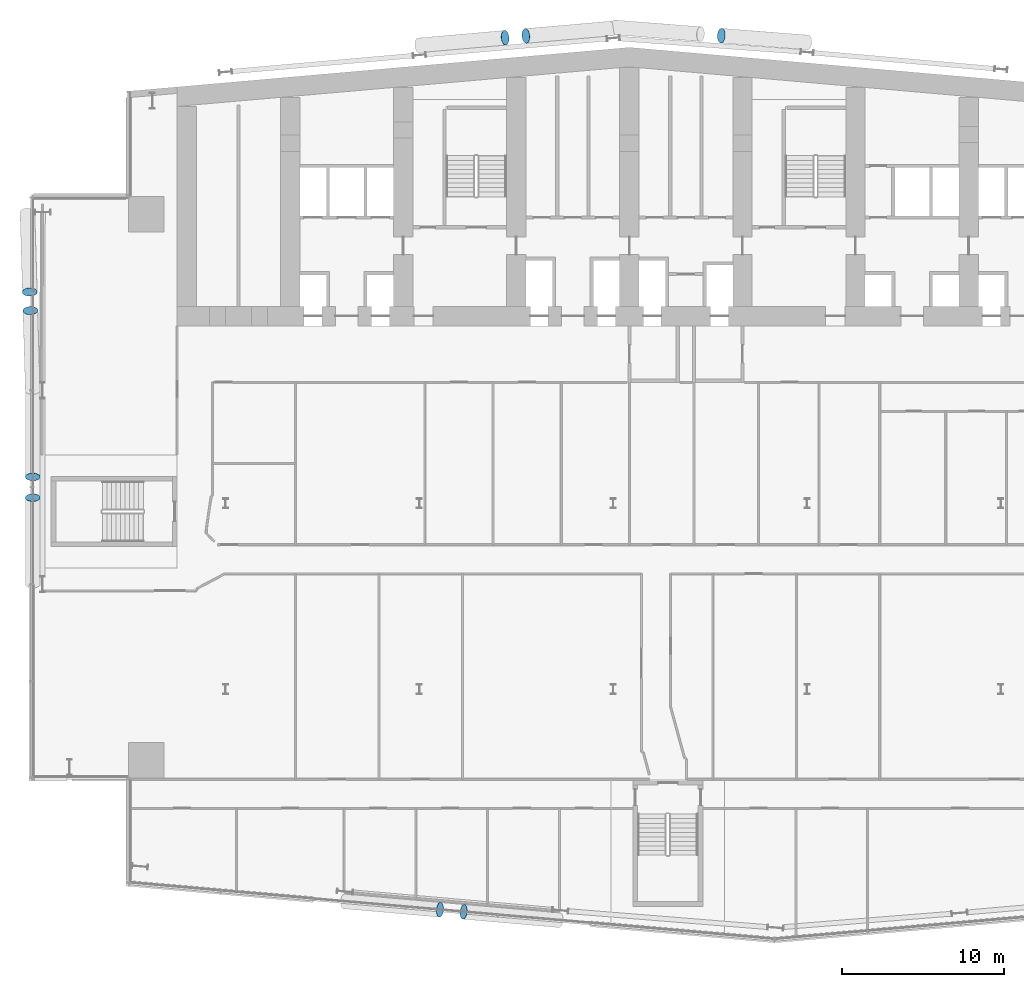
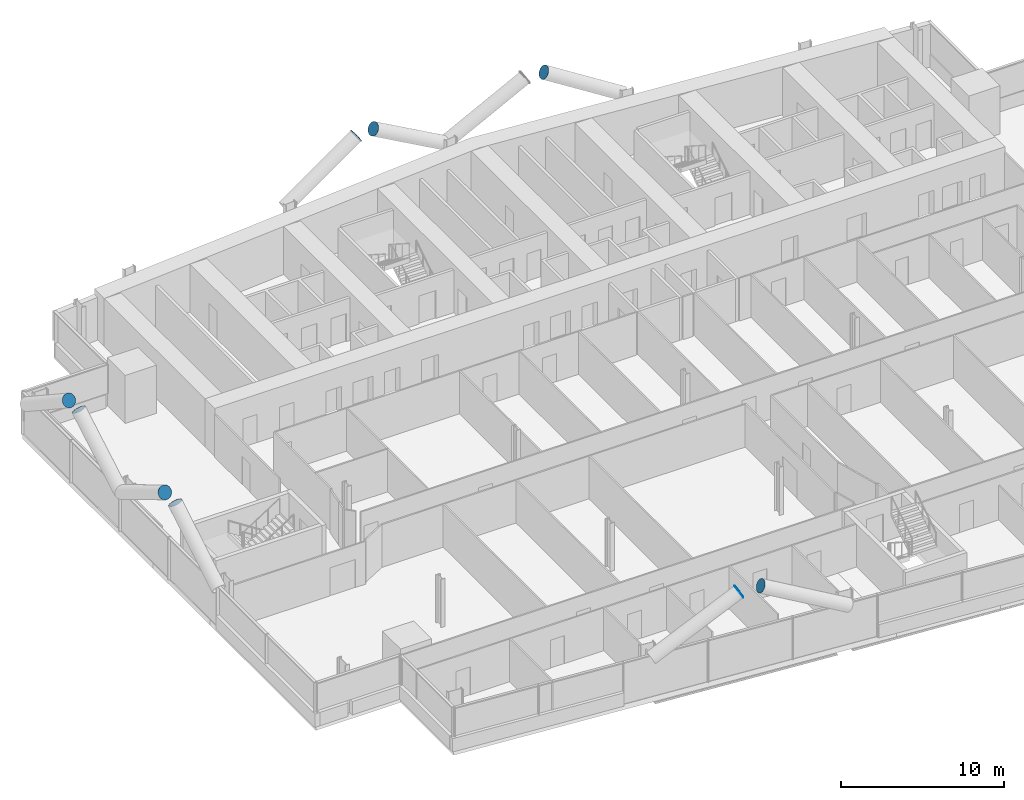
# One storey, part 22 of 28: 9 discrete accessories.
"""IFC4 building model written with IfcOpenShell, lengths in metres."""

from ifc_helpers import new_model, si_unit, direction, frame, origin, origin_2d, place, context, subcontext, project, spatial, circle, extrude, material, material_profile, profile_set, type_object, element, save


model = new_model("IFC4")

# Units and contexts
model_context = context("Model", 3, precision=1e-05, world=origin(), true_north=direction((0.0, 1.0)))
body_context = subcontext(model_context, "Body", "Model", "MODEL_VIEW")
ifc_project = project(units=[si_unit("LENGTHUNIT", "METRE"), si_unit("AREAUNIT", "SQUARE_METRE"), si_unit("VOLUMEUNIT", "CUBIC_METRE"), si_unit("PLANEANGLEUNIT", "RADIAN"), si_unit("MASSUNIT", "GRAM", prefix="KILO")], contexts=[model_context])

# Site, building, storey
site_placement = place(None, origin())
site = spatial("IfcSite", under=ifc_project, at=site_placement, CompositionType="ELEMENT")
building_placement = place(site_placement, origin())
building = spatial("IfcBuilding", under=site, at=building_placement, Name="Wharfspan Tower", CompositionType="ELEMENT")
storey_placement = place(building_placement, frame((0.0, 0.0, 52.300049)))
storey = spatial("IfcBuildingStorey", under=building, at=storey_placement, Name="L09", CompositionType="ELEMENT", Elevation=52.300049)

# Discrete accessories
ifc_material = material(Name="Steel S460NH", Category="steel")
ifc_material_profile = material_profile(ifc_material, circle(Radius=0.457031, at=origin_2d()))
ifc_profile_set = profile_set([ifc_material_profile], Name="Steel S460NH")
discrete_accessory_type = type_object("IfcDiscreteAccessoryType", Name="End plate CHS 914x40", PredefinedType="BRACKET", material=ifc_profile_set)
for number, where, z_axis, x_axis, name in (
    (1, (25.263184, -2.155029, 6.099609), (0.881993, -0.073499, 0.465496), (0.083046, 0.996545, -2e-06), "End plate CHS 914x40"),
    (2, (26.746338, -2.284912, 6.099609), (-0.880146, 0.097794, 0.464521), (-0.110432, -0.993888, 0.0), "End plate CHS 914x40"),
):
    element("IfcDiscreteAccessory", number, at=place(storey_placement, frame(where, z_axis=z_axis, x_axis=x_axis)), inside=storey, type_object=discrete_accessory_type, Name=name, PredefinedType="BRACKET", context=body_context, shape_type="SweptSolid", body=[
        extrude(circle(Radius=0.457031, at=origin_2d()), origin(), (0.0, 0.0, 1.0), 0.01001),
    ])
for number, where, z_axis, x_axis, name in (
    (3, (0.054932, 24.649902, 6.110107), (0.0, -0.863779, 0.503871), (1.0, 0.0, 0.0), "End plate CHS 914x40"),
    (4, (0.054932, 23.350098, 6.110107), (0.0, 0.863779, 0.503871), (-1.0, 0.0, 0.0), "End plate CHS 914x40"),
):
    element("IfcDiscreteAccessory", number, at=place(storey_placement, frame(where, z_axis=z_axis, x_axis=x_axis)), inside=storey, type_object=discrete_accessory_type, Name=name, PredefinedType="BRACKET", context=body_context, shape_type="SweptSolid", body=[
        extrude(circle(Radius=0.457031, at=origin_2d()), origin(), (0.0, 0.0, 1.0), 0.010254),
    ])
for number, where, z_axis, x_axis, name in (
    (5, (-0.126465, 36.100586, 6.119141), (0.024686, -0.839314, 0.543086), (0.999566, 0.0294, 1e-06), "End plate CHS 914x40"),
    (6, (-0.091797, 34.933594, 6.119141), (-0.024686, 0.839314, 0.543086), (-0.999566, -0.0294, 1e-06), "End plate CHS 914x40"),
    (7, (29.296875, 51.831055, 6.109619), (0.855186, 0.073302, 0.513112), (-0.085402, 0.996345, 1e-06), "End plate CHS 914x40"),
    (8, (30.597656, 51.944824, 6.109619), (-0.855186, -0.073302, 0.513112), (0.085402, -0.996345, 1e-06), "End plate CHS 914x40"),
    (9, (42.696533, 51.959961, 6.109863), (-0.856465, 0.048941, 0.513879), (-0.05705, -0.998372, 0.0), "End plate CHS 914x40"),
):
    element("IfcDiscreteAccessory", number, at=place(storey_placement, frame(where, z_axis=z_axis, x_axis=x_axis)), inside=storey, type_object=discrete_accessory_type, Name=name, PredefinedType="BRACKET", context=body_context, shape_type="SweptSolid", body=[
        extrude(circle(Radius=0.457031, at=origin_2d()), origin(), (0.0, 0.0, 1.0), 0.01001),
    ])

save(model, "model.ifc")
